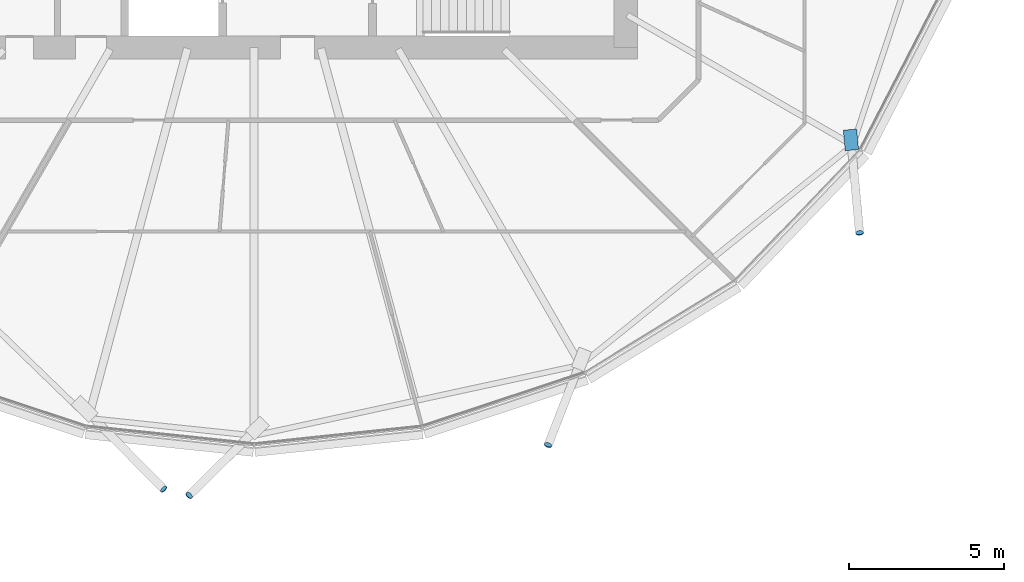
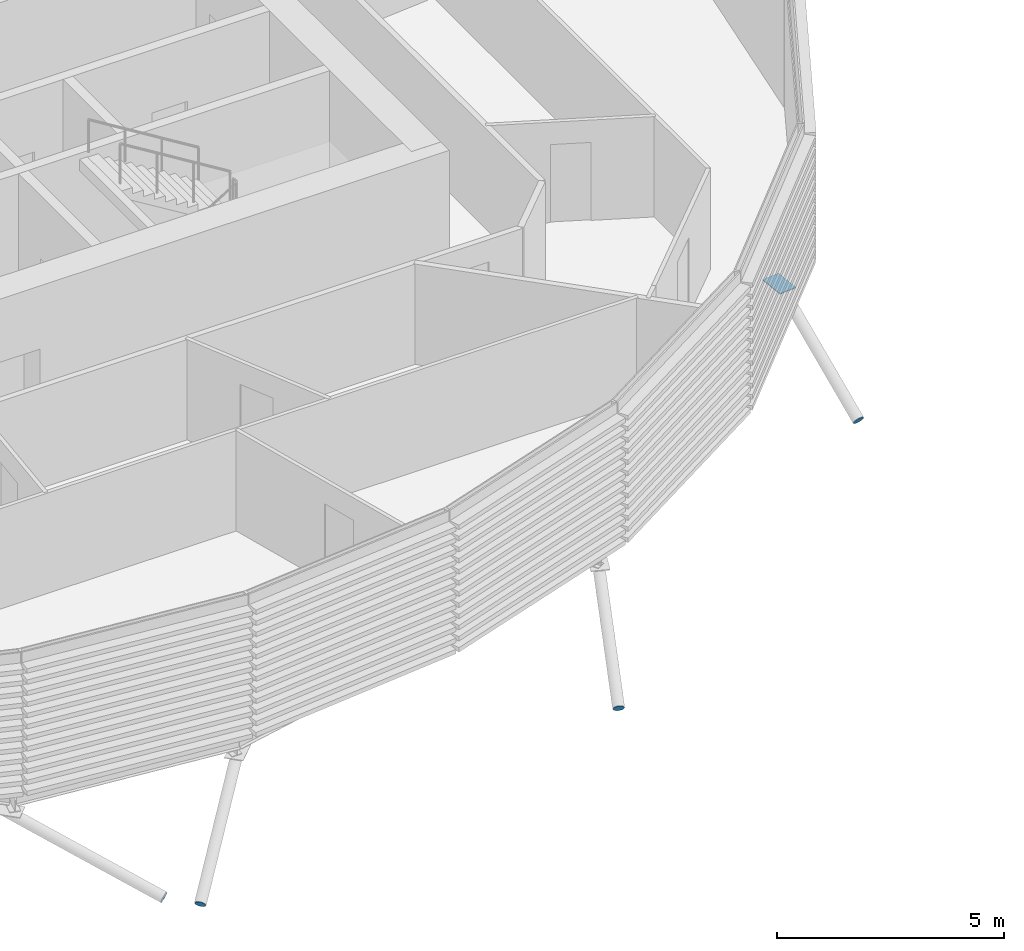
# One storey, part 28 of 39: 5 discrete accessories.
"""IFC4 building model written with IfcOpenShell, lengths in metres."""

from ifc_helpers import new_model, si_unit, direction, frame, origin, origin_2d, place, context, subcontext, project, spatial, polyline, rectangle, circle, outline, extrude, material, material_profile, profile_set, type_object, element, save


model = new_model("IFC4")

# Units and contexts
model_context = context("Model", 3, precision=1e-05, world=origin(), true_north=direction((0.0, 1.0)))
body_context = subcontext(model_context, "Body", "Model", "MODEL_VIEW")
ifc_project = project(units=[si_unit("LENGTHUNIT", "METRE"), si_unit("AREAUNIT", "SQUARE_METRE"), si_unit("VOLUMEUNIT", "CUBIC_METRE"), si_unit("PLANEANGLEUNIT", "RADIAN"), si_unit("MASSUNIT", "GRAM", prefix="KILO")], contexts=[model_context])

# Site, building, storey
site_placement = place(None, origin())
site = spatial("IfcSite", under=ifc_project, at=site_placement, CompositionType="ELEMENT")
building_placement = place(site_placement, origin())
building = spatial("IfcBuilding", under=site, at=building_placement, Name="Rimbun Link Towers", CompositionType="ELEMENT")
storey_placement = place(building_placement, frame((0.0, 0.0, 112.0)))
storey = spatial("IfcBuildingStorey", under=building, at=storey_placement, Name="L27", CompositionType="ELEMENT", Elevation=112.0)

# Discrete accessories
ifc_material_1 = material(Name="Steel S355J2H", Category="steel")
ifc_material_profile_1 = material_profile(ifc_material_1, circle(Radius=0.1240234375, at=origin_2d()), Name="PL D248")
ifc_profile_set_1 = profile_set([ifc_material_profile_1], Name="Steel S355J2H")
discrete_accessory_type_1 = type_object("IfcDiscreteAccessoryType", Name="Link foot sealing plate D248X20", PredefinedType="BRACKET", material=ifc_profile_set_1)
discrete_accessory_1_placement = place(storey_placement, frame((-34.67578125, -22.260986328125, -2.52685546875), z_axis=(0.638481539526, -0.638481539526, -0.429747190066), x_axis=(0.707106781187, 0.707106781187, 0.0)))
element("IfcDiscreteAccessory", 1, at=discrete_accessory_1_placement, inside=storey, type_object=discrete_accessory_type_1, Name="Link foot sealing plate T1 L27 17", PredefinedType="BRACKET", context=body_context, shape_type="SweptSolid", body=[
    extrude(circle(Radius=0.1240234375, at=origin_2d()), origin(), (0.0, 0.0, 1.0), 0.019775390625),
])
for number, where, z_axis, x_axis, name in (
    (2, (-33.84423828125, -22.4599609375, -2.8701171875), (-0.597294544308, -0.58510485973, -0.548535805997), (0.699779834816, -0.714358581375, 0.0), "Link foot sealing plate T1 L27 18"),
    (3, (-22.25634765625, -20.834716796875, -2.638427734375), (-0.306408444557, -0.784405618065, -0.53927886242), (0.93145734948, -0.36385052714, 0.0), "Link foot sealing plate T1 L27 20"),
    (4, (-12.20068359375, -13.9833984375, -2.562744140625), (0.073121811701, -0.840900834567, -0.536226619144), (0.996240588196, 0.086629616365, 0.0), "Link foot sealing plate T1 L27 22"),
):
    element("IfcDiscreteAccessory", number, at=place(storey_placement, frame(where, z_axis=z_axis, x_axis=x_axis)), inside=storey, type_object=discrete_accessory_type_1, Name=name, PredefinedType="BRACKET", context=body_context, shape_type="SweptSolid", body=[
        extrude(circle(Radius=0.1240234375, at=origin_2d()), origin(), (0.0, 0.0, 1.0), 0.02001953125),
    ])
ifc_material_2 = material(Name="Steel S355J2H", Category="steel")
ifc_material_profile_2 = material_profile(ifc_material_2, rectangle(XDim=0.43310546875, YDim=0.43310546875, at=origin_2d()), Name="PL 433x433")
ifc_profile_set_2 = profile_set([ifc_material_profile_2], Name="Steel S355J2H")
discrete_accessory_type_2 = type_object("IfcDiscreteAccessoryType", Name="Link head end plate 433X20", PredefinedType="BRACKET", material=ifc_profile_set_2)
discrete_accessory_2_placement = place(storey_placement, frame((0.0, 0.0, -0.63330078125)))
element("IfcDiscreteAccessory", 5, at=discrete_accessory_2_placement, inside=storey, type_object=discrete_accessory_type_2, Name="Link head end plate T1 L27 22", PredefinedType="BRACKET", context=body_context, shape_type="SweptSolid", body=[
    extrude(outline(polyline([(-12.72509765625, -10.675048828125), (-12.66357421875, -11.338134765625), (-12.232421875, -11.298095703125), (-12.2939453125, -10.635009765625), (-12.72509765625, -10.675048828125)])), origin(), (0.0, 0.0, 1.0), 0.02001953125),
])

save(model, "model.ifc")
